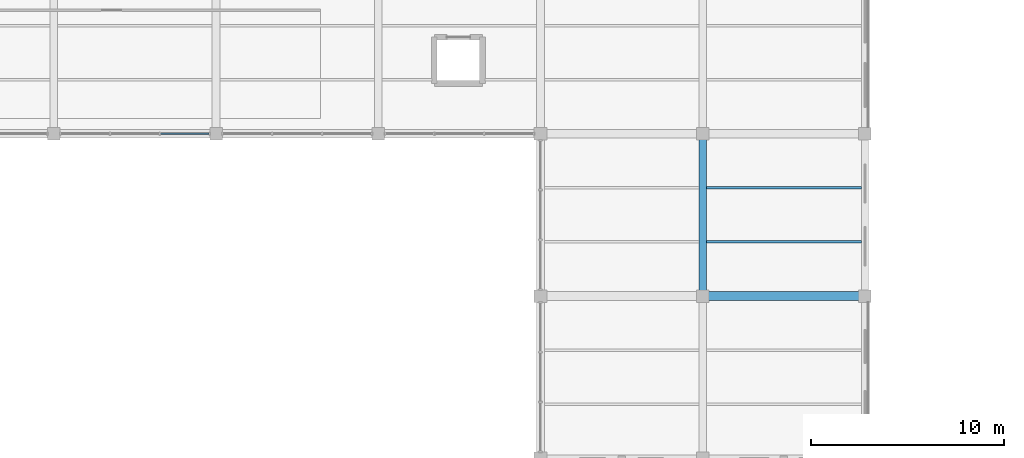
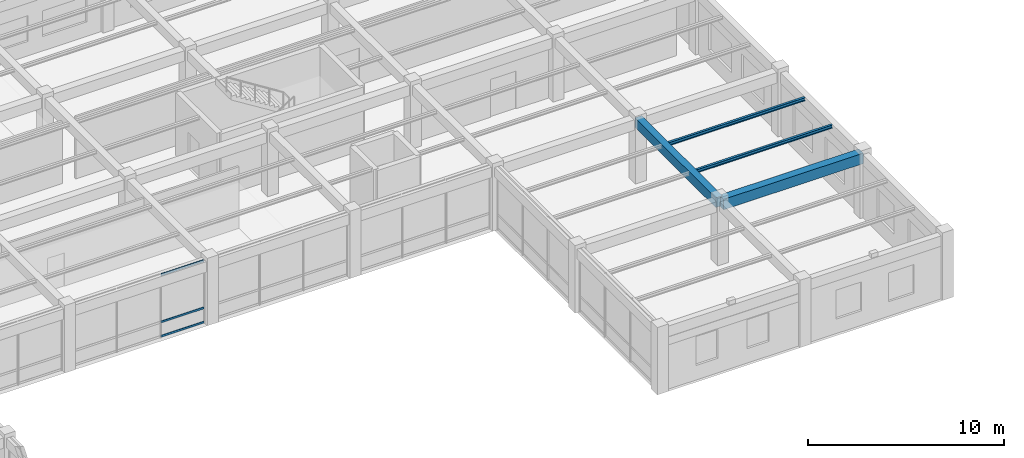
# One storey, part 19 of 138: 4 beams, 3 members, 1 element without a shape of its own.
"""IFC4 building model written with IfcOpenShell, lengths in metres."""

import ifcopenshell
import ifcopenshell.guid

model = None  # the IFC model being written
_history = None  # IfcOwnerHistory: only IFC2X3 demands one
_inside = {}  # id of a spatial element -> (the spatial element, [elements in it])
_under = {}  # id of a project, library or spatial element -> (it, [spatial elements below it])
_declared = {}  # id of a project -> (the project, [libraries it declares])
_typed = {}  # id of a type object -> (the type object, [elements of that type])
_made_of = {}  # id of a material, layer set ... -> (it, [elements and type objects made of it])


def new_model(schema):
    """Start an empty IFC model of exactly this schema.

    Asked for "IFC4X3", IfcOpenShell would pick the latest addendum, in which some entities
    have other attributes; the version numbers below select the first issue.
    IFC2X3 requires an IfcOwnerHistory on every rooted entity: one is made here for all.
    """
    global model, _history
    if schema == "IFC4X3":
        model = ifcopenshell.file(schema_version=(4, 3, 0, 0))
    else:
        model = ifcopenshell.file(schema=schema)
    _inside.clear()
    _under.clear()
    _declared.clear()
    _typed.clear()
    _made_of.clear()
    _history = None
    if model.schema == "IFC2X3":
        org = make("IfcOrganization", Name="unknown")
        user = make(
            "IfcPersonAndOrganization",
            ThePerson=make("IfcPerson", FamilyName="unknown"),
            TheOrganization=org,
        )
        app = make(
            "IfcApplication",
            ApplicationDeveloper=org,
            Version="unknown",
            ApplicationFullName="unknown",
            ApplicationIdentifier="unknown",
        )
        _history = make(
            "IfcOwnerHistory",
            OwningUser=user,
            OwningApplication=app,
            ChangeAction="ADDED",
            CreationDate=0,
        )
    return model


def make(cls, **values):
    """One entity of the class cls with the attributes given. An attribute that is None is left unset."""
    return model.create_entity(
        cls, **{name: value for name, value in values.items() if value is not None}
    )


def rooted(cls, **values):
    """An entity with a GlobalId (a new one), such as an element, a storey or a relation."""
    return make(cls, GlobalId=ifcopenshell.guid.new(), OwnerHistory=_history, **values)


def si_unit(unit_type, name, prefix=None):
    """IfcSIUnit, for example si_unit("LENGTHUNIT", "METRE", prefix="MILLI")."""
    return make("IfcSIUnit", UnitType=unit_type, Prefix=prefix, Name=name)


def assignment(units):
    """IfcUnitAssignment: the units of a project."""
    return None if units is None else make("IfcUnitAssignment", Units=units)


def point(xyz):
    """IfcCartesianPoint."""
    return None if xyz is None else make("IfcCartesianPoint", Coordinates=xyz)


def direction(xyz):
    """IfcDirection."""
    return None if xyz is None else make("IfcDirection", DirectionRatios=xyz)


def frame(location, z_axis=None, x_axis=None):
    """IfcAxis2Placement3D, a coordinate frame: its origin and axes. An axis left out is left unset."""
    return make(
        "IfcAxis2Placement3D",
        Location=point(location),
        Axis=direction(z_axis),
        RefDirection=direction(x_axis),
    )


def frame_2d(location, x_axis=None):
    """IfcAxis2Placement2D, a coordinate frame in the plane: its origin and x axis."""
    return make(
        "IfcAxis2Placement2D", Location=point(location), RefDirection=direction(x_axis)
    )


def origin():
    """The frame at (0, 0, 0) with its axes left unset."""
    return frame((0.0, 0.0, 0.0))


def origin_2d():
    """The frame at (0, 0) in the plane with its x axis left unset."""
    return frame_2d((0.0, 0.0))


def place(relative_to, where):
    """IfcLocalPlacement: puts the frame where relative to a parent placement (None: the world)."""
    return make(
        "IfcLocalPlacement", PlacementRelTo=relative_to, RelativePlacement=where
    )


def context(
    kind, dimensions, precision=None, world=None, true_north=None, identifier=None
):
    """IfcGeometricRepresentationContext, for example the 3D "Model" context."""
    return make(
        "IfcGeometricRepresentationContext",
        ContextIdentifier=identifier,
        ContextType=kind,
        CoordinateSpaceDimension=dimensions,
        Precision=precision,
        WorldCoordinateSystem=world,
        TrueNorth=true_north,
    )


def subcontext(parent, identifier, kind, view, scale=None):
    """IfcGeometricRepresentationSubContext, for example "Body" below "Model"."""
    return make(
        "IfcGeometricRepresentationSubContext",
        ContextIdentifier=identifier,
        ContextType=kind,
        ParentContext=parent,
        TargetScale=scale,
        TargetView=view,
    )


def project(units=None, contexts=None):
    """IfcProject with its units and contexts."""
    return rooted(
        "IfcProject",
        Name="project",
        RepresentationContexts=contexts,
        UnitsInContext=assignment(units),
    )


def spatial(cls, under=None, at=None, **own):
    """A site, building, storey or space (cls), placed at a placement, below another one or the project."""
    s = rooted(cls, ObjectPlacement=at, **own)
    if under is not None:
        _under.setdefault(under.id(), (under, []))[1].append(s)
    return s


def profile(cls, at=None, kind="AREA", **sizes):
    """A parametric profile (cls). Its sizes go by their IFC names, for example OverallWidth=200.0."""
    return make(cls, ProfileType=kind, Position=at, **sizes)


def rectangle(**sizes):
    """IfcRectangleProfileDef."""
    return profile("IfcRectangleProfileDef", **sizes)


def hollow_rectangle(**sizes):
    """IfcRectangleHollowProfileDef."""
    return profile("IfcRectangleHollowProfileDef", **sizes)


def i_section(**sizes):
    """IfcIShapeProfileDef."""
    return profile("IfcIShapeProfileDef", **sizes)


def extrude(swept, where, along, depth):
    """IfcExtrudedAreaSolid: the profile swept, set in the frame where, extruded along a direction by depth."""
    return make(
        "IfcExtrudedAreaSolid",
        SweptArea=swept,
        Position=where,
        ExtrudedDirection=direction(along),
        Depth=depth,
    )


def shape(context_of_items, identifier, shape_type, items):
    """IfcShapeRepresentation: the items that make up one representation, for example the "Body"."""
    return make(
        "IfcShapeRepresentation",
        ContextOfItems=context_of_items,
        RepresentationIdentifier=identifier,
        RepresentationType=shape_type,
        Items=items,
    )


def material(Name=None, Category=None):
    """IfcMaterial."""
    return make("IfcMaterial", Name=Name, Category=Category)


def material_profile(
    of_material, cross_section, Name=None, Category=None, Priority=None
):
    """IfcMaterialProfile: a cross section and its material."""
    return make(
        "IfcMaterialProfile",
        Name=Name,
        Material=of_material,
        Profile=cross_section,
        Priority=Priority,
        Category=Category,
    )


def profile_set(profiles, Name=None, composite=None):
    """IfcMaterialProfileSet."""
    return make(
        "IfcMaterialProfileSet",
        Name=Name,
        MaterialProfiles=profiles,
        CompositeProfile=composite,
    )


def made_of(thing, what):
    """Note that an element or type object is made of a material, layer set ...; save() writes the relation."""
    if what is not None:
        _made_of.setdefault(what.id(), (what, []))[1].append(thing)
    return thing


def type_object(cls, material=None, **own):
    """A type object (cls), such as IfcWallType, which elements share."""
    return made_of(rooted(cls, **own), material)


def element(
    cls,
    number,
    at=None,
    inside=None,
    cuts=None,
    type_object=None,
    material=None,
    context=None,
    identifier="Body",
    shape_type=None,
    held_by="IfcProductDefinitionShape",
    body=None,
    shapes=None,
    **own,
):
    """One element of the class cls, such as IfcWall. Its Tag is "e" and its number.

    at: its placement. inside: the storey or other place that contains it. cuts: it is an
    opening in that element (IfcRelVoidsElement). A single representation is given by context,
    identifier, shape_type and body (its items); several are given by shapes. held_by: the class
    of the entity that holds the representations. save() writes the other relations.
    """
    e = rooted(cls, Tag="e%d" % number, ObjectPlacement=at, **own)
    if body is not None:
        shapes = [shape(context, identifier, shape_type, body)]
    if shapes is not None:
        e.Representation = make(held_by, Representations=shapes)
    if inside is not None:
        _inside.setdefault(inside.id(), (inside, []))[1].append(e)
    if cuts is not None:
        rooted(
            "IfcRelVoidsElement", RelatingBuildingElement=cuts, RelatedOpeningElement=e
        )
    if type_object is not None:
        _typed.setdefault(type_object.id(), (type_object, []))[1].append(e)
    return made_of(e, material)


def aggregate(whole, parts):
    """IfcRelAggregates: a whole, such as a stair, and the parts it consists of."""
    return rooted("IfcRelAggregates", RelatingObject=whole, RelatedObjects=parts)


def save(model, path):
    """Write the relations noted so far, then the file.

    IfcRelAggregates (storeys below a building ...), IfcRelContainedInSpatialStructure (elements
    in a storey), IfcRelDefinesByType, IfcRelAssociatesMaterial and IfcRelDeclares: one each for
    every whole, place, type object, material and project.
    """
    for whole, parts in _under.values():
        aggregate(whole, parts)
    for where, things in _inside.values():
        rooted(
            "IfcRelContainedInSpatialStructure",
            RelatedElements=things,
            RelatingStructure=where,
        )
    for kind, things in _typed.values():
        rooted("IfcRelDefinesByType", RelatedObjects=things, RelatingType=kind)
    for what, things in _made_of.values():
        rooted("IfcRelAssociatesMaterial", RelatedObjects=things, RelatingMaterial=what)
    for by, libraries in _declared.values():
        rooted("IfcRelDeclares", RelatingContext=by, RelatedDefinitions=libraries)
    model.write(path)


model = new_model("IFC4")

# Units and contexts
model_context = context("Model", 3, precision=1e-05, world=origin(), true_north=direction((0.0, 1.0)))
body_context = subcontext(model_context, "Body", "Model", "MODEL_VIEW")
ifc_project = project(units=[si_unit("LENGTHUNIT", "METRE"), si_unit("AREAUNIT", "SQUARE_METRE"), si_unit("VOLUMEUNIT", "CUBIC_METRE"), si_unit("PLANEANGLEUNIT", "RADIAN"), si_unit("MASSUNIT", "GRAM", prefix="KILO"), si_unit("THERMODYNAMICTEMPERATUREUNIT", "KELVIN"), si_unit("POWERUNIT", "WATT")], contexts=[model_context])

# Site, building, storey
site_placement = place(None, origin())
site = spatial("IfcSite", under=ifc_project, at=site_placement, CompositionType="ELEMENT")
building_placement = place(site_placement, origin())
building = spatial("IfcBuilding", under=site, at=building_placement, Name="Darbajah Civic Hall", CompositionType="ELEMENT")
storey_placement = place(building_placement, frame((0.0, 0.0, 9.60009765625)))
storey = spatial("IfcBuildingStorey", under=building, at=storey_placement, Name="L02", CompositionType="ELEMENT", Elevation=9.60009765625)

# Curtain wall, members
ifc_material_1 = material(Name="Anodised Bronze Aluminium and Low-E Glazing", Category="aluminium")
curtain_wall_type = type_object("IfcCurtainWallType", Name="Unitised Curtain Wall CW-99 7700x3950", PredefinedType="USERDEFINED", material=ifc_material_1)
curtain_wall_placement = place(storey_placement, origin())
curtain_wall = element("IfcCurtainWall", 1, at=curtain_wall_placement, inside=storey, type_object=curtain_wall_type, Name="L02 unitised curtain wall CW-V5-L02-S2-B1", ObjectType="UNITISED CURTAIN WALL", PredefinedType="USERDEFINED")
ifc_material_2 = material(Name="Anodised Bronze Aluminium", Category="aluminium")
ifc_material_profile_1 = material_profile(ifc_material_2, hollow_rectangle(XDim=0.06005859375, YDim=0.1201171875, WallThickness=0.003173828125, at=origin_2d()), Name="ALU TRANSOM 60x120")
ifc_profile_set_1 = profile_set([ifc_material_profile_1], Name="Anodised Bronze Aluminium")
member_type = type_object("IfcMemberType", Name="ALU TRANSOM 60x120", PredefinedType="USERDEFINED", material=ifc_profile_set_1)
member_1_placement = place(storey_placement, frame((30.72607421875, 16.800048828125, 0.059814453125), z_axis=(1.0, 0.0, 0.0), x_axis=(0.0, 1.0, 0.0)))
member_1 = element("IfcMember", 2, at=member_1_placement, type_object=member_type, Name="CW-V5-L02-S2-B1 transom 3.1", ObjectType="TRANSOM", PredefinedType="USERDEFINED", context=body_context, shape_type="SweptSolid", body=[
    extrude(hollow_rectangle(XDim=0.06005859375, YDim=0.1201171875, WallThickness=0.003173828125, at=origin_2d()), origin(), (0.0, 0.0, 1.0), 2.511962890625),
])
member_2_placement = place(storey_placement, frame((30.72607421875, 16.800048828125, 0.949951171875), z_axis=(1.0, 0.0, 0.0), x_axis=(0.0, 1.0, 0.0)))
member_2 = element("IfcMember", 3, at=member_2_placement, type_object=member_type, Name="CW-V5-L02-S2-B1 transom 3.2", ObjectType="TRANSOM", PredefinedType="USERDEFINED", context=body_context, shape_type="SweptSolid", body=[
    extrude(hollow_rectangle(XDim=0.06005859375, YDim=0.1201171875, WallThickness=0.003173828125, at=origin_2d()), origin(), (0.0, 0.0, 1.0), 2.511962890625),
])
member_3_placement = place(storey_placement, frame((30.72607421875, 16.800048828125, 3.8798828125), z_axis=(1.0, 0.0, 0.0), x_axis=(0.0, 1.0, 0.0)))
member_3 = element("IfcMember", 4, at=member_3_placement, type_object=member_type, Name="CW-V5-L02-S2-B1 transom 3.3", ObjectType="TRANSOM", PredefinedType="USERDEFINED", context=body_context, shape_type="SweptSolid", body=[
    extrude(hollow_rectangle(XDim=0.06005859375, YDim=0.1201171875, WallThickness=0.003173828125, at=origin_2d()), origin(), (0.0, 0.0, 1.0), 2.511962890625),
])
aggregate(curtain_wall, [member_1, member_2, member_3])

# Beams
ifc_material_3 = material(Name="Concrete C45/55", Category="concrete")
ifc_material_profile_2 = material_profile(ifc_material_3, rectangle(XDim=0.39990234375, YDim=0.60009765625, at=origin_2d()), Name="RC BEAM 400x600")
ifc_profile_set_2 = profile_set([ifc_material_profile_2], Name="Concrete C45/55")
beam_type_1 = type_object("IfcBeamType", Name="RC BEAM 400x600", PredefinedType="BEAM", material=ifc_profile_set_2)
beam_1_placement = place(storey_placement, frame((58.800048828125, 8.47998046875, 3.639892578125), z_axis=(0.0, 1.0, 0.0), x_axis=(-1.0, 0.0, 0.0)))
element("IfcBeam", 5, at=beam_1_placement, inside=storey, type_object=beam_type_1, Name="L02 beam BM-4060", PredefinedType="BEAM", context=body_context, shape_type="SweptSolid", body=[
    extrude(rectangle(XDim=0.39990234375, YDim=0.60009765625, at=origin_2d()), origin(), (0.0, 0.0, 1.0), 8.239990234375),
])
ifc_material_profile_3 = material_profile(ifc_material_3, rectangle(XDim=0.449951171875, YDim=0.64990234375, at=origin_2d()), Name="RC BEAM 450x650")
ifc_profile_set_3 = profile_set([ifc_material_profile_3], Name="Concrete C45/55")
beam_type_2 = type_object("IfcBeamType", Name="RC BEAM 450x650", PredefinedType="BEAM", material=ifc_profile_set_3)
beam_2_placement = place(storey_placement, frame((58.8798828125, 8.39990234375, 3.614990234375), z_axis=(1.0, 0.0, 0.0), x_axis=(0.0, 1.0, 0.0)))
element("IfcBeam", 6, at=beam_2_placement, inside=storey, type_object=beam_type_2, Name="L02 beam BM-4565", PredefinedType="BEAM", context=body_context, shape_type="SweptSolid", body=[
    extrude(rectangle(XDim=0.449951171875, YDim=0.64990234375, at=origin_2d()), origin(), (0.0, 0.0, 1.0), 8.240234375),
])
ifc_material_4 = material(Name="Steel S355JR", Category="steel")
ifc_material_profile_4 = material_profile(ifc_material_4, i_section(OverallWidth=0.1337890625, OverallDepth=0.206787109375, WebThickness=0.00634765625, FlangeThickness=0.009521484375, FilletRadius=0.007568359375, at=origin_2d()), Name="UB 203x133x30")
ifc_profile_set_4 = profile_set([ifc_material_profile_4], Name="Steel S355JR")
beam_type_3 = type_object("IfcBeamType", Name="UB 203x133x30", PredefinedType="JOIST", material=ifc_profile_set_4)
for number, where, z_axis, x_axis, name in (
    (7, (59.0, 11.199951171875, 3.83642578125), (1.0, 0.0, 0.0), (0.0, 1.0, 0.0), "L02 beam SJ-203"),
    (8, (59.0, 14.0, 3.83642578125), (1.0, 0.0, 0.0), (0.0, 1.0, 0.0), "L02 beam SJ-203"),
):
    element("IfcBeam", number, at=place(storey_placement, frame(where, z_axis=z_axis, x_axis=x_axis)), inside=storey, type_object=beam_type_3, Name=name, PredefinedType="JOIST", context=body_context, shape_type="SweptSolid", body=[
        extrude(i_section(OverallWidth=0.1337890625, OverallDepth=0.206787109375, WebThickness=0.00634765625, FlangeThickness=0.009521484375, FilletRadius=0.007568359375, at=origin_2d()), origin(), (0.0, 0.0, 1.0), 8.02490234375),
    ])

save(model, "model.ifc")
